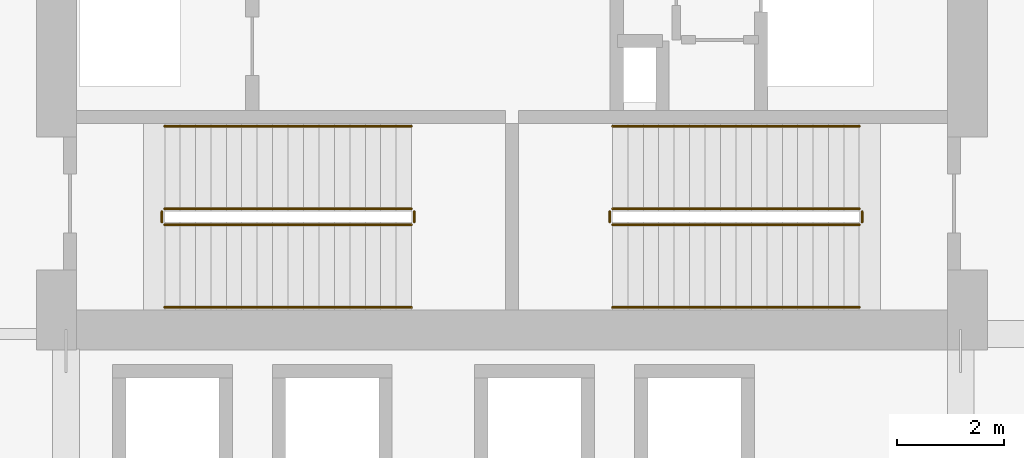
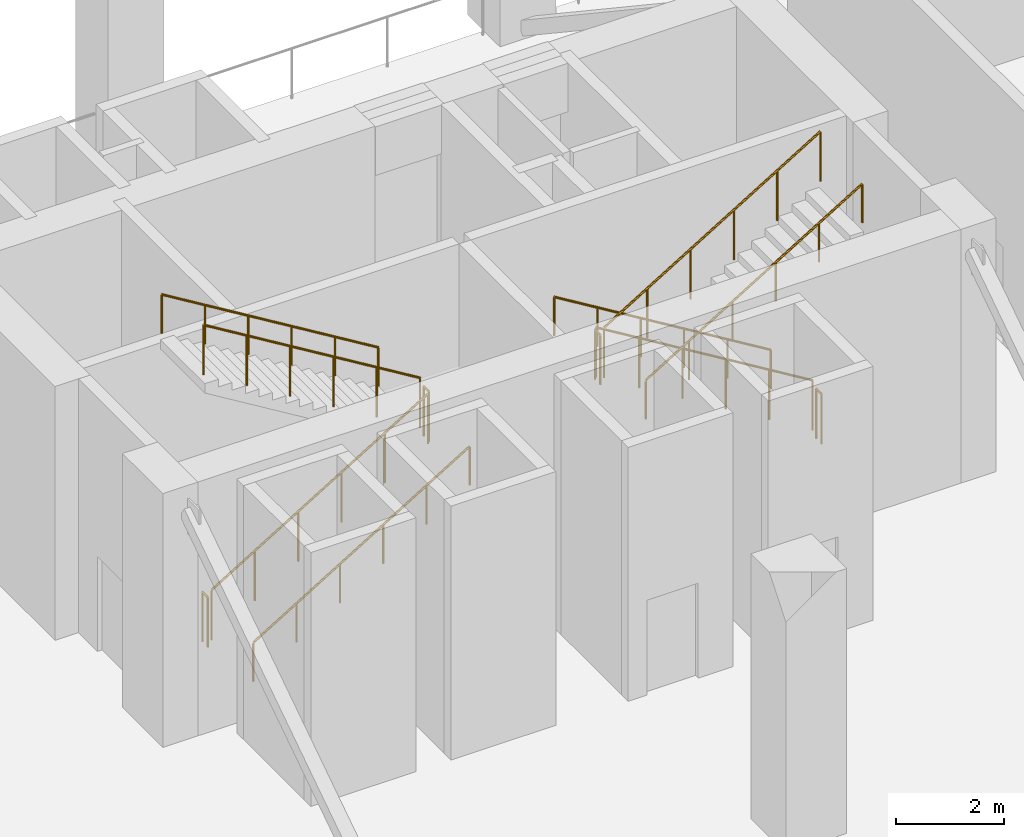
# One storey, part 16 of 19: 12 railings.
"""IFC4 building model written with IfcOpenShell, lengths in metres."""

from ifc_helpers import new_model, si_unit, direction, frame, origin, origin_2d, place, context, subcontext, project, spatial, circle, extrude, material, type_object, element, save


model = new_model("IFC4")

# Units and contexts
model_context = context("Model", 3, precision=1e-05, world=origin(), true_north=direction((0.0, 1.0)))
body_context = subcontext(model_context, "Body", "Model", "MODEL_VIEW")
ifc_project = project(units=[si_unit("LENGTHUNIT", "METRE"), si_unit("AREAUNIT", "SQUARE_METRE"), si_unit("VOLUMEUNIT", "CUBIC_METRE"), si_unit("PLANEANGLEUNIT", "RADIAN"), si_unit("MASSUNIT", "GRAM", prefix="KILO")], contexts=[model_context])

# Site, building, storey
site_placement = place(None, origin())
site = spatial("IfcSite", under=ifc_project, at=site_placement, CompositionType="ELEMENT")
building_placement = place(site_placement, origin())
building = spatial("IfcBuilding", under=site, at=building_placement, Name="Koriwani Terraces Tower", CompositionType="ELEMENT")
storey_placement = place(building_placement, frame((0.0, 0.0, 94.0)))
storey = spatial("IfcBuildingStorey", under=building, at=storey_placement, Name="L22", CompositionType="ELEMENT", Elevation=94.0)

# Railings
ifc_material = material(Name="Steel ASTM A572 Grade 50", Category="steel")
railing_type_1 = type_object("IfcRailingType", Name="GUARD_STAIR_WELL_1120", PredefinedType="GUARDRAIL", material=ifc_material)
railing_1_placement = place(storey_placement, frame((43.85009765625, 18.85009765625, 0.176513671875)))
element("IfcRailing", 1, at=railing_1_placement, inside=storey, type_object=railing_type_1, Name="L22 ST-E1 stair guard 1", PredefinedType="GUARDRAIL", context=body_context, shape_type="SweptSolid", body=[
    extrude(circle(Radius=0.02392578125, at=origin_2d()), frame((0.0, 0.0, 1.1259765625), z_axis=(0.854263648073, 0.0, 0.51983999421), x_axis=(0.0, 1.0, 0.0)), (0.0, 0.0, 1.0), 5.431396484375),
    extrude(circle(Radius=0.02099609375, at=origin_2d()), origin(), (0.0, 0.0, 1.0), 1.101806640625),
    extrude(circle(Radius=0.02099609375, at=origin_2d()), frame((0.927978515625, 0.0, 0.564697265625)), (0.0, 0.0, 1.0), 1.101806640625),
    extrude(circle(Radius=0.02099609375, at=origin_2d()), frame((1.85595703125, 0.0, 1.12939453125)), (0.0, 0.0, 1.0), 1.101806640625),
    extrude(circle(Radius=0.02099609375, at=origin_2d()), frame((2.783935546875, 0.0, 1.694091796875)), (0.0, 0.0, 1.0), 1.101806640625),
    extrude(circle(Radius=0.02099609375, at=origin_2d()), frame((3.7119140625, 0.0, 2.2587890625)), (0.0, 0.0, 1.0), 1.101806640625),
    extrude(circle(Radius=0.02099609375, at=origin_2d()), frame((4.639892578125, 0.0, 2.823486328125)), (0.0, 0.0, 1.0), 1.101806640625),
])
railing_2_placement = place(storey_placement, frame((48.5400390625, 18.89990234375, 3.0)))
element("IfcRailing", 2, at=railing_2_placement, inside=storey, type_object=railing_type_1, Name="L22 ST-E1 stair guard 2", PredefinedType="GUARDRAIL", context=body_context, shape_type="SweptSolid", body=[
    extrude(circle(Radius=0.02392578125, at=origin_2d()), frame((0.0, 0.0, 1.1259765625), z_axis=(0.0, 1.0, 0.0), x_axis=(-1.0, 0.0, 0.0)), (0.0, 0.0, 1.0), 0.2001953125),
    extrude(circle(Radius=0.02099609375, at=origin_2d()), origin(), (0.0, 0.0, 1.0), 1.101806640625),
    extrude(circle(Radius=0.02099609375, at=origin_2d()), frame((0.0, 0.2001953125, 0.0)), (0.0, 0.0, 1.0), 1.101806640625),
])
railing_3_placement = place(storey_placement, frame((48.489990234375, 19.14990234375, 3.176513671875)))
element("IfcRailing", 3, at=railing_3_placement, inside=storey, type_object=railing_type_1, Name="L22 ST-E1 stair guard 3", PredefinedType="GUARDRAIL", context=body_context, shape_type="SweptSolid", body=[
    extrude(circle(Radius=0.02392578125, at=origin_2d()), frame((0.0, 0.0, 1.1259765625), z_axis=(-0.854263648073, 0.0, 0.51983999421), x_axis=(0.0, -1.0, 0.0)), (0.0, 0.0, 1.0), 5.431396484375),
    extrude(circle(Radius=0.02099609375, at=origin_2d()), origin(), (0.0, 0.0, 1.0), 1.101806640625),
    extrude(circle(Radius=0.02099609375, at=origin_2d()), frame((-0.927978515625, 0.0, 0.564697265625)), (0.0, 0.0, 1.0), 1.101806640625),
    extrude(circle(Radius=0.02099609375, at=origin_2d()), frame((-1.85595703125, 0.0, 1.12939453125)), (0.0, 0.0, 1.0), 1.101806640625),
    extrude(circle(Radius=0.02099609375, at=origin_2d()), frame((-2.783935546875, 0.0, 1.694091796875)), (0.0, 0.0, 1.0), 1.101806640625),
    extrude(circle(Radius=0.02099609375, at=origin_2d()), frame((-3.7119140625, 0.0, 2.2587890625)), (0.0, 0.0, 1.0), 1.101806640625),
    extrude(circle(Radius=0.02099609375, at=origin_2d()), frame((-4.639892578125, 0.0, 2.823486328125)), (0.0, 0.0, 1.0), 1.101806640625),
])
railing_4_placement = place(storey_placement, frame((43.800048828125, 18.89990234375, 0.0)))
element("IfcRailing", 4, at=railing_4_placement, inside=storey, type_object=railing_type_1, Name="L22 ST-E1 stair guard 4", PredefinedType="GUARDRAIL", context=body_context, shape_type="SweptSolid", body=[
    extrude(circle(Radius=0.02392578125, at=origin_2d()), frame((0.0, 0.0, 1.1259765625), z_axis=(0.0, 1.0, 0.0), x_axis=(-1.0, 0.0, 0.0)), (0.0, 0.0, 1.0), 0.2001953125),
    extrude(circle(Radius=0.02099609375, at=origin_2d()), origin(), (0.0, 0.0, 1.0), 1.101806640625),
    extrude(circle(Radius=0.02099609375, at=origin_2d()), frame((0.0, 0.2001953125, 0.0)), (0.0, 0.0, 1.0), 1.101806640625),
])
railing_5_placement = place(storey_placement, frame((56.89990234375, 19.14990234375, 0.176513671875)))
element("IfcRailing", 5, at=railing_5_placement, inside=storey, type_object=railing_type_1, Name="L22 ST-E2 stair guard 1", PredefinedType="GUARDRAIL", context=body_context, shape_type="SweptSolid", body=[
    extrude(circle(Radius=0.02392578125, at=origin_2d()), frame((0.0, 0.0, 1.1259765625), z_axis=(-0.854263648073, 0.0, 0.51983999421), x_axis=(0.0, -1.0, 0.0)), (0.0, 0.0, 1.0), 5.431396484375),
    extrude(circle(Radius=0.02099609375, at=origin_2d()), origin(), (0.0, 0.0, 1.0), 1.101806640625),
    extrude(circle(Radius=0.02099609375, at=origin_2d()), frame((-0.927978515625, 0.0, 0.564697265625)), (0.0, 0.0, 1.0), 1.101806640625),
    extrude(circle(Radius=0.02099609375, at=origin_2d()), frame((-1.85595703125, 0.0, 1.12939453125)), (0.0, 0.0, 1.0), 1.101806640625),
    extrude(circle(Radius=0.02099609375, at=origin_2d()), frame((-2.783935546875, 0.0, 1.694091796875)), (0.0, 0.0, 1.0), 1.101806640625),
    extrude(circle(Radius=0.02099609375, at=origin_2d()), frame((-3.7119140625, 0.0, 2.2587890625)), (0.0, 0.0, 1.0), 1.101806640625),
    extrude(circle(Radius=0.02099609375, at=origin_2d()), frame((-4.639892578125, 0.0, 2.823486328125)), (0.0, 0.0, 1.0), 1.101806640625),
])
railing_6_placement = place(storey_placement, frame((52.2099609375, 19.10009765625, 3.0)))
element("IfcRailing", 6, at=railing_6_placement, inside=storey, type_object=railing_type_1, Name="L22 ST-E2 stair guard 2", PredefinedType="GUARDRAIL", context=body_context, shape_type="SweptSolid", body=[
    extrude(circle(Radius=0.02392578125, at=origin_2d()), frame((0.0, 0.0, 1.1259765625), z_axis=(0.0, -1.0, 0.0), x_axis=(1.0, 0.0, 0.0)), (0.0, 0.0, 1.0), 0.2001953125),
    extrude(circle(Radius=0.02099609375, at=origin_2d()), origin(), (0.0, 0.0, 1.0), 1.101806640625),
    extrude(circle(Radius=0.02099609375, at=origin_2d()), frame((0.0, -0.2001953125, 0.0)), (0.0, 0.0, 1.0), 1.101806640625),
])
railing_7_placement = place(storey_placement, frame((52.260009765625, 18.85009765625, 3.176513671875)))
element("IfcRailing", 7, at=railing_7_placement, inside=storey, type_object=railing_type_1, Name="L22 ST-E2 stair guard 3", PredefinedType="GUARDRAIL", context=body_context, shape_type="SweptSolid", body=[
    extrude(circle(Radius=0.02392578125, at=origin_2d()), frame((0.0, 0.0, 1.1259765625), z_axis=(0.854263648073, 0.0, 0.51983999421), x_axis=(0.0, 1.0, 0.0)), (0.0, 0.0, 1.0), 5.431396484375),
    extrude(circle(Radius=0.02099609375, at=origin_2d()), origin(), (0.0, 0.0, 1.0), 1.101806640625),
    extrude(circle(Radius=0.02099609375, at=origin_2d()), frame((0.927978515625, 0.0, 0.564697265625)), (0.0, 0.0, 1.0), 1.101806640625),
    extrude(circle(Radius=0.02099609375, at=origin_2d()), frame((1.85595703125, 0.0, 1.12939453125)), (0.0, 0.0, 1.0), 1.101806640625),
    extrude(circle(Radius=0.02099609375, at=origin_2d()), frame((2.783935546875, 0.0, 1.694091796875)), (0.0, 0.0, 1.0), 1.101806640625),
    extrude(circle(Radius=0.02099609375, at=origin_2d()), frame((3.7119140625, 0.0, 2.2587890625)), (0.0, 0.0, 1.0), 1.101806640625),
    extrude(circle(Radius=0.02099609375, at=origin_2d()), frame((4.639892578125, 0.0, 2.823486328125)), (0.0, 0.0, 1.0), 1.101806640625),
])
railing_8_placement = place(storey_placement, frame((56.949951171875, 19.10009765625, 0.0)))
element("IfcRailing", 8, at=railing_8_placement, inside=storey, type_object=railing_type_1, Name="L22 ST-E2 stair guard 4", PredefinedType="GUARDRAIL", context=body_context, shape_type="SweptSolid", body=[
    extrude(circle(Radius=0.02392578125, at=origin_2d()), frame((0.0, 0.0, 1.1259765625), z_axis=(0.0, -1.0, 0.0), x_axis=(1.0, 0.0, 0.0)), (0.0, 0.0, 1.0), 0.2001953125),
    extrude(circle(Radius=0.02099609375, at=origin_2d()), origin(), (0.0, 0.0, 1.0), 1.101806640625),
    extrude(circle(Radius=0.02099609375, at=origin_2d()), frame((0.0, -0.2001953125, 0.0)), (0.0, 0.0, 1.0), 1.101806640625),
])
railing_type_2 = type_object("IfcRailingType", Name="HANDRAIL_STAIR_920", PredefinedType="HANDRAIL", material=ifc_material)
railing_9_placement = place(storey_placement, frame((43.85009765625, 17.300048828125, 0.176513671875)))
element("IfcRailing", 9, at=railing_9_placement, inside=storey, type_object=railing_type_2, Name="L22 ST-E1 stair handrail 1", PredefinedType="HANDRAIL", context=body_context, shape_type="SweptSolid", body=[
    extrude(circle(Radius=0.02392578125, at=origin_2d()), frame((0.0, 0.0, 0.8759765625), z_axis=(0.854263648073, 0.0, 0.51983999421), x_axis=(0.0, 1.0, 0.0)), (0.0, 0.0, 1.0), 5.431396484375),
    extrude(circle(Radius=0.02099609375, at=origin_2d()), origin(), (0.0, 0.0, 1.0), 0.851806640625),
    extrude(circle(Radius=0.02099609375, at=origin_2d()), frame((0.927978515625, 0.0, 0.564697265625)), (0.0, 0.0, 1.0), 0.851806640625),
    extrude(circle(Radius=0.02099609375, at=origin_2d()), frame((1.85595703125, 0.0, 1.12939453125)), (0.0, 0.0, 1.0), 0.851806640625),
    extrude(circle(Radius=0.02099609375, at=origin_2d()), frame((2.783935546875, 0.0, 1.694091796875)), (0.0, 0.0, 1.0), 0.851806640625),
    extrude(circle(Radius=0.02099609375, at=origin_2d()), frame((3.7119140625, 0.0, 2.2587890625)), (0.0, 0.0, 1.0), 0.851806640625),
    extrude(circle(Radius=0.02099609375, at=origin_2d()), frame((4.639892578125, 0.0, 2.823486328125)), (0.0, 0.0, 1.0), 0.851806640625),
])
for number, where, name in (
    (10, (48.489990234375, 20.699951171875, 3.176513671875), "L22 ST-E1 stair handrail 2"),
    (11, (56.89990234375, 20.699951171875, 0.176513671875), "L22 ST-E2 stair handrail 1"),
):
    element("IfcRailing", number, at=place(storey_placement, frame(where)), inside=storey, type_object=railing_type_2, Name=name, PredefinedType="HANDRAIL", context=body_context, shape_type="SweptSolid", body=[
        extrude(circle(Radius=0.02392578125, at=origin_2d()), frame((0.0, 0.0, 0.8759765625), z_axis=(-0.854263648073, 0.0, 0.51983999421), x_axis=(0.0, -1.0, 0.0)), (0.0, 0.0, 1.0), 5.431396484375),
        extrude(circle(Radius=0.02099609375, at=origin_2d()), origin(), (0.0, 0.0, 1.0), 0.851806640625),
        extrude(circle(Radius=0.02099609375, at=origin_2d()), frame((-0.927978515625, 0.0, 0.564697265625)), (0.0, 0.0, 1.0), 0.851806640625),
        extrude(circle(Radius=0.02099609375, at=origin_2d()), frame((-1.85595703125, 0.0, 1.12939453125)), (0.0, 0.0, 1.0), 0.851806640625),
        extrude(circle(Radius=0.02099609375, at=origin_2d()), frame((-2.783935546875, 0.0, 1.694091796875)), (0.0, 0.0, 1.0), 0.851806640625),
        extrude(circle(Radius=0.02099609375, at=origin_2d()), frame((-3.7119140625, 0.0, 2.2587890625)), (0.0, 0.0, 1.0), 0.851806640625),
        extrude(circle(Radius=0.02099609375, at=origin_2d()), frame((-4.639892578125, 0.0, 2.823486328125)), (0.0, 0.0, 1.0), 0.851806640625),
    ])
railing_10_placement = place(storey_placement, frame((52.260009765625, 17.300048828125, 3.176513671875)))
element("IfcRailing", 12, at=railing_10_placement, inside=storey, type_object=railing_type_2, Name="L22 ST-E2 stair handrail 2", PredefinedType="HANDRAIL", context=body_context, shape_type="SweptSolid", body=[
    extrude(circle(Radius=0.02392578125, at=origin_2d()), frame((0.0, 0.0, 0.8759765625), z_axis=(0.854263648073, 0.0, 0.51983999421), x_axis=(0.0, 1.0, 0.0)), (0.0, 0.0, 1.0), 5.431396484375),
    extrude(circle(Radius=0.02099609375, at=origin_2d()), origin(), (0.0, 0.0, 1.0), 0.851806640625),
    extrude(circle(Radius=0.02099609375, at=origin_2d()), frame((0.927978515625, 0.0, 0.564697265625)), (0.0, 0.0, 1.0), 0.851806640625),
    extrude(circle(Radius=0.02099609375, at=origin_2d()), frame((1.85595703125, 0.0, 1.12939453125)), (0.0, 0.0, 1.0), 0.851806640625),
    extrude(circle(Radius=0.02099609375, at=origin_2d()), frame((2.783935546875, 0.0, 1.694091796875)), (0.0, 0.0, 1.0), 0.851806640625),
    extrude(circle(Radius=0.02099609375, at=origin_2d()), frame((3.7119140625, 0.0, 2.2587890625)), (0.0, 0.0, 1.0), 0.851806640625),
    extrude(circle(Radius=0.02099609375, at=origin_2d()), frame((4.639892578125, 0.0, 2.823486328125)), (0.0, 0.0, 1.0), 0.851806640625),
])

save(model, "model.ifc")
